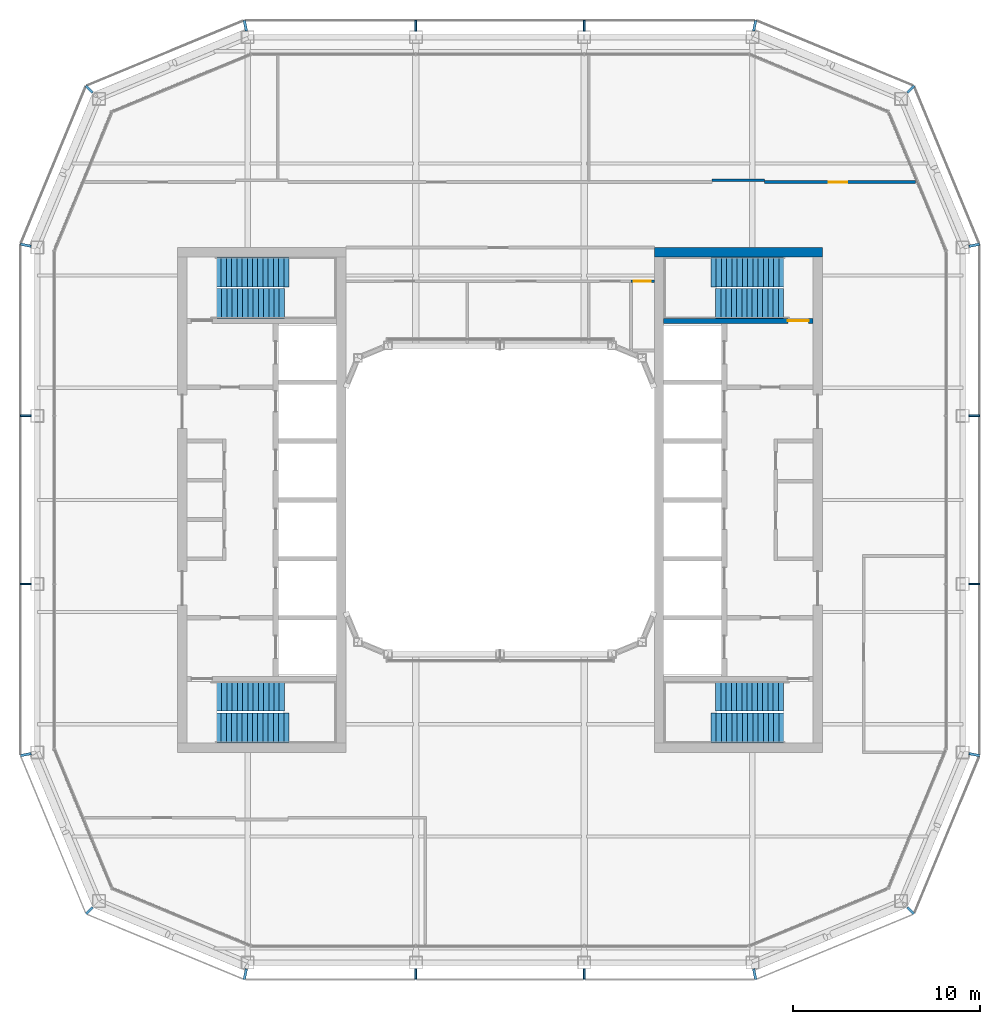
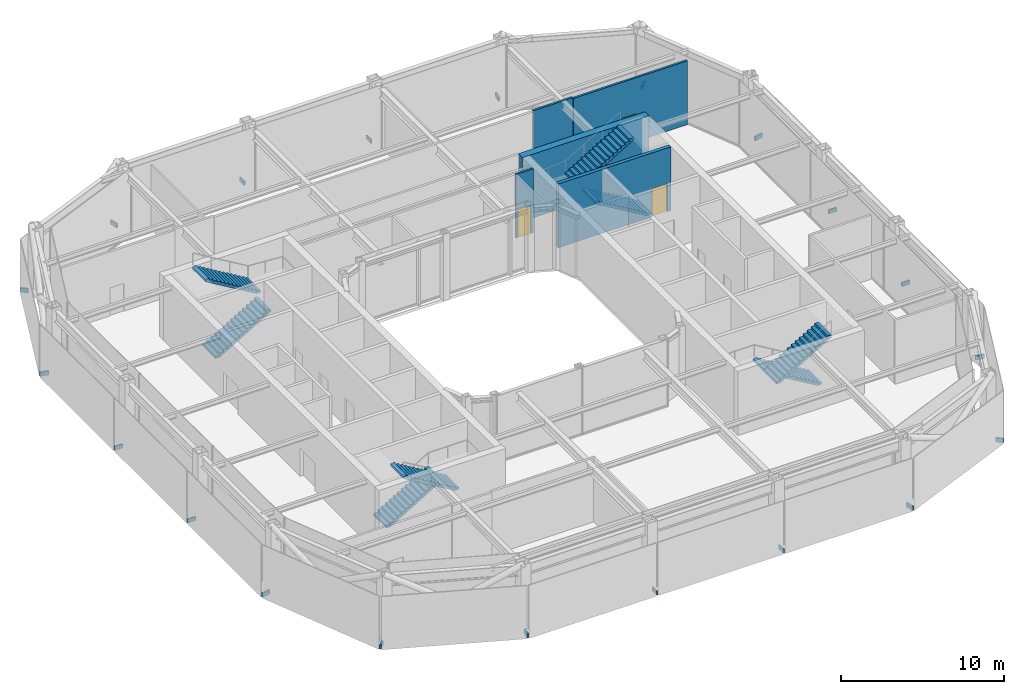
# One storey, part 13 of 17: 20 discrete accessories, 8 stair flights, 5 walls, 3 doors, 3 openings, 4 elements without a shape of their own.
"""IFC4 building model written with IfcOpenShell, lengths in metres."""

from ifc_helpers import new_model, si_unit, direction, frame, frame_2d, origin, origin_2d, place, context, subcontext, project, spatial, polyline, rectangle, outline, extrude, material, layer, layer_set, type_object, element, fill, aggregate, save


model = new_model("IFC4")

# Units and contexts
model_context = context("Model", 3, precision=1e-05, world=origin(), true_north=direction((0.0, 1.0)))
body_context = subcontext(model_context, "Body", "Model", "MODEL_VIEW")
ifc_project = project(units=[si_unit("LENGTHUNIT", "METRE"), si_unit("AREAUNIT", "SQUARE_METRE"), si_unit("VOLUMEUNIT", "CUBIC_METRE"), si_unit("PLANEANGLEUNIT", "RADIAN"), si_unit("MASSUNIT", "GRAM", prefix="KILO")], contexts=[model_context])

# Site, building, storey
site_placement = place(None, origin())
site = spatial("IfcSite", under=ifc_project, at=site_placement, CompositionType="ELEMENT")
building_placement = place(site_placement, origin())
building = spatial("IfcBuilding", under=site, at=building_placement, Name="Siwar Civic Tower", CompositionType="ELEMENT")
storey_placement = place(building_placement, frame((0.0, 0.0, 353.199951171875)))
storey = spatial("IfcBuildingStorey", under=building, at=storey_placement, Name="L76", CompositionType="ELEMENT", Elevation=353.199951171875)

# Wall, opening, door
ifc_material_1 = material(Name="Gypsum board on steel studs", Category="steel")
ifc_layer_1 = layer(ifc_material_1, 0.14990234375)
ifc_layer_set_1 = layer_set([ifc_layer_1], Name="Gypsum board on steel studs")
wall_type_1 = type_object("IfcWallType", Name="COMPARTMENT PARTITION 150 EI 60", PredefinedType="PARTITIONING", material=ifc_layer_set_1)
wall_1_placement = place(storey_placement, frame((7.0, 11.699951171875, 0.0), z_axis=(0.0, 0.0, 1.0), x_axis=(1.0, 0.0, 0.0)))
wall_1 = element("IfcWall", 1, at=wall_1_placement, inside=storey, type_object=wall_type_1, Name="L76/wall/P08", PredefinedType="PARTITIONING", context=body_context, shape_type="SweptSolid", body=[
    extrude(rectangle(XDim=1.25, YDim=0.14990234375, at=frame_2d((0.625, 0.0))), origin(), (0.0, 0.0, 1.0), 4.800048828125),
])
opening_1_placement = place(wall_1_placement, frame((0.14990234375, 0.0, 0.0)))
opening_1 = element("IfcOpeningElement", 2, at=opening_1_placement, cuts=wall_1, Name="Opening D4", PredefinedType="OPENING", context=body_context, shape_type="SweptSolid", body=[
    extrude(rectangle(XDim=0.89990234375, YDim=2.10009765625, at=frame_2d((0.449951171875, 1.050048828125))), frame((0.0, 0.0849609375, 0.0), z_axis=(0.0, -1.0, 0.0), x_axis=(1.0, 0.0, 0.0)), (0.0, 0.0, 1.0), 0.169921875),
])
ifc_material_2 = material(Name="Timber, painted", Category="wood")
door_type_1 = type_object("IfcDoorType", Name="DOOR 900 X 2100 FD60", OperationType="SINGLE_SWING_LEFT", PredefinedType="DOOR", material=ifc_material_2)
door_1_placement = place(opening_1_placement, origin())
door_1 = element("IfcDoor", 3, at=door_1_placement, inside=storey, type_object=door_type_1, Name="L76-D08", OperationType="SINGLE_SWING_RIGHT", OverallHeight=2.10009765625, OverallWidth=0.89990234375, PredefinedType="DOOR", context=body_context, shape_type="SweptSolid", body=[
    extrude(rectangle(XDim=0.89990234375, YDim=2.10009765625, at=frame_2d((0.449951171875, 1.050048828125))), frame((0.0, 0.02490234375, 0.0), z_axis=(0.0, -1.0, 0.0), x_axis=(1.0, 0.0, 0.0)), (0.0, 0.0, 1.0), 0.050048828125),
])
fill(opening_1, door_1)

ifc_material_3 = material(Name="Concrete C60/75", Category="concrete")
ifc_layer_2 = layer(ifc_material_3, 0.25)
ifc_layer_set_2 = layer_set([ifc_layer_2], Name="Concrete C60/75")
wall_type_2 = type_object("IfcWallType", Name="CORE-WALL-RC250", PredefinedType="SHEAR", material=ifc_layer_set_2)
wall_2_placement = place(storey_placement, frame((8.75, 9.574951171875, 0.0), z_axis=(0.0, 0.0, 1.0), x_axis=(1.0, 0.0, 0.0)))
wall_2 = element("IfcWall", 4, at=wall_2_placement, inside=storey, type_object=wall_type_2, Name="Core wall E", PredefinedType="SHEAR", context=body_context, shape_type="SweptSolid", body=[
    extrude(rectangle(XDim=8.0, YDim=0.25, at=frame_2d((4.0, 0.0))), origin(), (0.0, 0.0, 1.0), 4.800048828125),
])
opening_2_placement = place(wall_2_placement, frame((6.64990234375, 0.0, 0.0)))
opening_2 = element("IfcOpeningElement", 5, at=opening_2_placement, cuts=wall_2, Name="Opening L76-CE03", PredefinedType="OPENING", context=body_context, shape_type="SweptSolid", body=[
    extrude(rectangle(XDim=1.10009765625, YDim=2.10009765625, at=frame_2d((0.550048828125, 1.050048828125))), frame((0.0, 0.135009765625, 0.0), z_axis=(0.0, -1.0, 0.0), x_axis=(1.0, 0.0, 0.0)), (0.0, 0.0, 1.0), 0.27001953125),
])
ifc_material_4 = material(Name="Steel door leaf", Category="steel")
door_type_2 = type_object("IfcDoorType", Name="CORE-DOOR-FD60S", OperationType="SINGLE_SWING_LEFT", PredefinedType="DOOR", material=ifc_material_4)
door_2_placement = place(opening_2_placement, origin())
door_2 = element("IfcDoor", 6, at=door_2_placement, inside=storey, type_object=door_type_2, Name="Stair door L76-CE03", OperationType="SINGLE_SWING_LEFT", OverallHeight=2.10009765625, OverallWidth=1.10009765625, PredefinedType="DOOR", context=body_context, shape_type="SweptSolid", body=[
    extrude(rectangle(XDim=1.10009765625, YDim=2.10009765625, at=frame_2d((0.550048828125, 1.050048828125))), frame((0.0, 0.02490234375, 0.0), z_axis=(0.0, -1.0, 0.0), x_axis=(1.0, 0.0, 0.0)), (0.0, 0.0, 1.0), 0.050048828125),
])
fill(opening_2, door_2)

# Wall
ifc_material_5 = material(Name="Concrete C60/75", Category="concrete")
ifc_layer_3 = layer(ifc_material_5, 0.5)
ifc_layer_set_3 = layer_set([ifc_layer_3], Name="Concrete C60/75")
wall_type_3 = type_object("IfcWallType", Name="CORE-WALL-RC500", PredefinedType="SHEAR", material=ifc_layer_set_3)
wall_3_placement = place(storey_placement, frame((8.25, 13.25, 0.0), z_axis=(0.0, 0.0, 1.0), x_axis=(1.0, 0.0, 0.0)))
element("IfcWall", 7, at=wall_3_placement, inside=storey, type_object=wall_type_3, Name="Core wall E", PredefinedType="SHEAR", context=body_context, shape_type="SweptSolid", body=[
    extrude(rectangle(XDim=9.0, YDim=0.5, at=frame_2d((4.5, 0.0))), origin(), (0.0, 0.0, 1.0), 4.800048828125),
])

# Wall, opening, door
ifc_material_6 = material(Name="Gypsum board on steel studs", Category="steel")
ifc_layer_4 = layer(ifc_material_6, 0.14990234375)
ifc_layer_set_4 = layer_set([ifc_layer_4], Name="Gypsum board on steel studs")
wall_type_4 = type_object("IfcWallType", Name="CORRIDOR PARTITION 150 EI 30", PredefinedType="PARTITIONING", material=ifc_layer_set_4)
wall_4_placement = place(storey_placement, frame((14.14990234375, 17.0, 0.0), z_axis=(0.0, 0.0, 1.0), x_axis=(1.0, 0.0, 0.0)))
wall_4 = element("IfcWall", 8, at=wall_4_placement, inside=storey, type_object=wall_type_4, Name="L76/wall/P12", PredefinedType="PARTITIONING", context=body_context, shape_type="SweptSolid", body=[
    extrude(rectangle(XDim=8.0791015625, YDim=0.14990234375, at=frame_2d((4.03955078125, 0.0))), origin(), (0.0, 0.0, 1.0), 4.800048828125),
])
opening_3_placement = place(wall_4_placement, frame((3.428955078125, 0.0, 0.0)))
opening_3 = element("IfcOpeningElement", 9, at=opening_3_placement, cuts=wall_4, Name="Opening D1", PredefinedType="OPENING", context=body_context, shape_type="SweptSolid", body=[
    extrude(rectangle(XDim=1.0, YDim=2.10009765625, at=frame_2d((0.5, 1.050048828125))), frame((0.0, 0.0849609375, 0.0), z_axis=(0.0, -1.0, 0.0), x_axis=(1.0, 0.0, 0.0)), (0.0, 0.0, 1.0), 0.169921875),
])
ifc_material_7 = material(Name="Timber, painted", Category="wood")
door_type_3 = type_object("IfcDoorType", Name="DOOR 1000 X 2100 FD30", OperationType="SINGLE_SWING_LEFT", PredefinedType="DOOR", material=ifc_material_7)
door_3_placement = place(opening_3_placement, origin())
door_3 = element("IfcDoor", 10, at=door_3_placement, inside=storey, type_object=door_type_3, Name="L76-D03", OperationType="SINGLE_SWING_LEFT", OverallHeight=2.10009765625, OverallWidth=1.0, PredefinedType="DOOR", context=body_context, shape_type="SweptSolid", body=[
    extrude(rectangle(XDim=1.0, YDim=2.10009765625, at=frame_2d((0.5, 1.050048828125))), frame((0.0, 0.02490234375, 0.0), z_axis=(0.0, -1.0, 0.0), x_axis=(1.0, 0.0, 0.0)), (0.0, 0.0, 1.0), 0.050048828125),
])
fill(opening_3, door_3)

# Wall
wall_5_placement = place(storey_placement, frame((11.35009765625, 17.10009765625, 0.0), z_axis=(0.0, 0.0, 1.0), x_axis=(1.0, 0.0, 0.0)))
element("IfcWall", 11, at=wall_5_placement, inside=storey, type_object=wall_type_4, Name="L76/wall/P14", PredefinedType="PARTITIONING", context=body_context, shape_type="SweptSolid", body=[
    extrude(rectangle(XDim=2.7998046875, YDim=0.14990234375, at=frame_2d((1.39990234375, 0.0))), origin(), (0.0, 0.0, 1.0), 4.800048828125),
])

# Stair, stair flights
ifc_material_8 = material(Name="Concrete C40/50", Category="concrete")
stair_type = type_object("IfcStairType", Name="CORE-STAIR", PredefinedType="TWO_STRAIGHT_RUN_STAIR", material=ifc_material_8)
stair_1_placement = place(storey_placement, origin())
stair_1 = element("IfcStair", 12, at=stair_1_placement, inside=storey, type_object=stair_type, Name="Exit stair ST1", PredefinedType="TWO_STRAIGHT_RUN_STAIR")
ifc_material_9 = material(Name="Concrete C40/50", Category="concrete")
stair_flight_type = type_object("IfcStairFlightType", Name="CORE-STAIR-FLIGHT", PredefinedType="STRAIGHT", material=ifc_material_9)
stair_flight_1_placement = place(storey_placement, frame((-15.449951171875, 10.5, 0.0), z_axis=(0.0, 0.0, 1.0), x_axis=(1.0, 0.0, 0.0)))
stair_flight_1 = element("IfcStairFlight", 13, at=stair_flight_1_placement, type_object=stair_flight_type, Name="ST1 flight 1", NumberOfRisers=15, NumberOfTreads=14, PredefinedType="STRAIGHT", RiserHeight=0.166666667, TreadLength=0.28, context=body_context, shape_type="SweptSolid", body=[
    extrude(outline(polyline([(0.0, 0.0), (0.0, 0.166748046875), (0.280029296875, 0.166748046875), (0.280029296875, 0.333251953125), (0.56005859375, 0.333251953125), (0.56005859375, 0.5), (0.840087890625, 0.5), (0.840087890625, 0.666748046875), (1.1201171875, 0.666748046875), (1.1201171875, 0.833251953125), (1.39990234375, 0.833251953125), (1.39990234375, 1.0), (1.679931640625, 1.0), (1.679931640625, 1.166748046875), (1.9599609375, 1.166748046875), (1.9599609375, 1.333251953125), (2.239990234375, 1.333251953125), (2.239990234375, 1.5), (2.52001953125, 1.5), (2.52001953125, 1.666748046875), (2.800048828125, 1.666748046875), (2.800048828125, 1.833251953125), (3.080078125, 1.833251953125), (3.080078125, 2.0), (3.360107421875, 2.0), (3.360107421875, 2.166748046875), (3.639892578125, 2.166748046875), (3.639892578125, 2.333251953125), (3.919921875, 2.333251953125), (3.919921875, 2.5), (3.919921875, 2.158935546875), (0.29296875, 0.0), (0.0, 0.0)])), frame((0.0, 0.800048828125, 0.0), z_axis=(0.0, -1.0, 0.0), x_axis=(1.0, 0.0, 0.0)), (0.0, 0.0, 1.0), 1.60009765625),
])
stair_flight_2_placement = place(storey_placement, frame((-11.280029296875, 12.199951171875, 2.5), z_axis=(0.0, 0.0, 1.0), x_axis=(-1.0, 0.0, 0.0)))
stair_flight_2 = element("IfcStairFlight", 14, at=stair_flight_2_placement, type_object=stair_flight_type, Name="ST1 flight 2", NumberOfRisers=15, NumberOfTreads=14, PredefinedType="STRAIGHT", RiserHeight=0.166666667, TreadLength=0.28, context=body_context, shape_type="SweptSolid", body=[
    extrude(outline(polyline([(0.0, 0.0), (0.0, 0.166748046875), (0.280029296875, 0.166748046875), (0.280029296875, 0.333251953125), (0.56005859375, 0.333251953125), (0.56005859375, 0.5), (0.840087890625, 0.5), (0.840087890625, 0.666748046875), (1.1201171875, 0.666748046875), (1.1201171875, 0.833251953125), (1.39990234375, 0.833251953125), (1.39990234375, 1.0), (1.679931640625, 1.0), (1.679931640625, 1.166748046875), (1.9599609375, 1.166748046875), (1.9599609375, 1.333251953125), (2.239990234375, 1.333251953125), (2.239990234375, 1.5), (2.52001953125, 1.5), (2.52001953125, 1.666748046875), (2.800048828125, 1.666748046875), (2.800048828125, 1.833251953125), (3.080078125, 1.833251953125), (3.080078125, 2.0), (3.360107421875, 2.0), (3.360107421875, 2.166748046875), (3.639892578125, 2.166748046875), (3.639892578125, 2.333251953125), (3.919921875, 2.333251953125), (3.919921875, 2.5), (3.919921875, 2.158935546875), (0.29296875, 0.0), (0.0, 0.0)])), frame((0.0, 0.800048828125, 0.0), z_axis=(0.0, -1.0, 0.0), x_axis=(1.0, 0.0, 0.0)), (0.0, 0.0, 1.0), 1.60009765625),
])
aggregate(stair_1, [stair_flight_1, stair_flight_2])

stair_2_placement = place(storey_placement, origin())
stair_2 = element("IfcStair", 15, at=stair_2_placement, inside=storey, type_object=stair_type, Name="Exit stair ST2", PredefinedType="TWO_STRAIGHT_RUN_STAIR")
stair_flight_3_placement = place(storey_placement, frame((-15.449951171875, -10.5, 0.0), z_axis=(0.0, 0.0, 1.0), x_axis=(1.0, 0.0, 0.0)))
stair_flight_3 = element("IfcStairFlight", 16, at=stair_flight_3_placement, type_object=stair_flight_type, Name="ST2 flight 1", NumberOfRisers=15, NumberOfTreads=14, PredefinedType="STRAIGHT", RiserHeight=0.166666667, TreadLength=0.28, context=body_context, shape_type="SweptSolid", body=[
    extrude(outline(polyline([(0.0, 0.0), (0.0, 0.166748046875), (0.280029296875, 0.166748046875), (0.280029296875, 0.333251953125), (0.56005859375, 0.333251953125), (0.56005859375, 0.5), (0.840087890625, 0.5), (0.840087890625, 0.666748046875), (1.1201171875, 0.666748046875), (1.1201171875, 0.833251953125), (1.39990234375, 0.833251953125), (1.39990234375, 1.0), (1.679931640625, 1.0), (1.679931640625, 1.166748046875), (1.9599609375, 1.166748046875), (1.9599609375, 1.333251953125), (2.239990234375, 1.333251953125), (2.239990234375, 1.5), (2.52001953125, 1.5), (2.52001953125, 1.666748046875), (2.800048828125, 1.666748046875), (2.800048828125, 1.833251953125), (3.080078125, 1.833251953125), (3.080078125, 2.0), (3.360107421875, 2.0), (3.360107421875, 2.166748046875), (3.639892578125, 2.166748046875), (3.639892578125, 2.333251953125), (3.919921875, 2.333251953125), (3.919921875, 2.5), (3.919921875, 2.158935546875), (0.29296875, 0.0), (0.0, 0.0)])), frame((0.0, 0.800048828125, 0.0), z_axis=(0.0, -1.0, 0.0), x_axis=(1.0, 0.0, 0.0)), (0.0, 0.0, 1.0), 1.60009765625),
])
stair_flight_4_placement = place(storey_placement, frame((-11.280029296875, -12.199951171875, 2.5), z_axis=(0.0, 0.0, 1.0), x_axis=(-1.0, 0.0, 0.0)))
stair_flight_4 = element("IfcStairFlight", 17, at=stair_flight_4_placement, type_object=stair_flight_type, Name="ST2 flight 2", NumberOfRisers=15, NumberOfTreads=14, PredefinedType="STRAIGHT", RiserHeight=0.166666667, TreadLength=0.28, context=body_context, shape_type="SweptSolid", body=[
    extrude(outline(polyline([(0.0, 0.0), (0.0, 0.166748046875), (0.280029296875, 0.166748046875), (0.280029296875, 0.333251953125), (0.56005859375, 0.333251953125), (0.56005859375, 0.5), (0.840087890625, 0.5), (0.840087890625, 0.666748046875), (1.1201171875, 0.666748046875), (1.1201171875, 0.833251953125), (1.39990234375, 0.833251953125), (1.39990234375, 1.0), (1.679931640625, 1.0), (1.679931640625, 1.166748046875), (1.9599609375, 1.166748046875), (1.9599609375, 1.333251953125), (2.239990234375, 1.333251953125), (2.239990234375, 1.5), (2.52001953125, 1.5), (2.52001953125, 1.666748046875), (2.800048828125, 1.666748046875), (2.800048828125, 1.833251953125), (3.080078125, 1.833251953125), (3.080078125, 2.0), (3.360107421875, 2.0), (3.360107421875, 2.166748046875), (3.639892578125, 2.166748046875), (3.639892578125, 2.333251953125), (3.919921875, 2.333251953125), (3.919921875, 2.5), (3.919921875, 2.158935546875), (0.29296875, 0.0), (0.0, 0.0)])), frame((0.0, 0.800048828125, 0.0), z_axis=(0.0, -1.0, 0.0), x_axis=(1.0, 0.0, 0.0)), (0.0, 0.0, 1.0), 1.60009765625),
])
aggregate(stair_2, [stair_flight_3, stair_flight_4])

stair_3_placement = place(storey_placement, origin())
stair_3 = element("IfcStair", 18, at=stair_3_placement, inside=storey, type_object=stair_type, Name="Exit stair ST3", PredefinedType="TWO_STRAIGHT_RUN_STAIR")
stair_flight_5_placement = place(storey_placement, frame((15.449951171875, 10.5, 0.0), z_axis=(0.0, 0.0, 1.0), x_axis=(-1.0, 0.0, 0.0)))
stair_flight_5 = element("IfcStairFlight", 19, at=stair_flight_5_placement, type_object=stair_flight_type, Name="ST3 flight 1", NumberOfRisers=15, NumberOfTreads=14, PredefinedType="STRAIGHT", RiserHeight=0.166666667, TreadLength=0.28, context=body_context, shape_type="SweptSolid", body=[
    extrude(outline(polyline([(0.0, 0.0), (0.0, 0.166748046875), (0.280029296875, 0.166748046875), (0.280029296875, 0.333251953125), (0.56005859375, 0.333251953125), (0.56005859375, 0.5), (0.840087890625, 0.5), (0.840087890625, 0.666748046875), (1.1201171875, 0.666748046875), (1.1201171875, 0.833251953125), (1.39990234375, 0.833251953125), (1.39990234375, 1.0), (1.679931640625, 1.0), (1.679931640625, 1.166748046875), (1.9599609375, 1.166748046875), (1.9599609375, 1.333251953125), (2.239990234375, 1.333251953125), (2.239990234375, 1.5), (2.52001953125, 1.5), (2.52001953125, 1.666748046875), (2.800048828125, 1.666748046875), (2.800048828125, 1.833251953125), (3.080078125, 1.833251953125), (3.080078125, 2.0), (3.360107421875, 2.0), (3.360107421875, 2.166748046875), (3.639892578125, 2.166748046875), (3.639892578125, 2.333251953125), (3.919921875, 2.333251953125), (3.919921875, 2.5), (3.919921875, 2.158935546875), (0.29296875, 0.0), (0.0, 0.0)])), frame((0.0, 0.800048828125, 0.0), z_axis=(0.0, -1.0, 0.0), x_axis=(1.0, 0.0, 0.0)), (0.0, 0.0, 1.0), 1.60009765625),
])
stair_flight_6_placement = place(storey_placement, frame((11.280029296875, 12.199951171875, 2.5), z_axis=(0.0, 0.0, 1.0), x_axis=(1.0, 0.0, 0.0)))
stair_flight_6 = element("IfcStairFlight", 20, at=stair_flight_6_placement, type_object=stair_flight_type, Name="ST3 flight 2", NumberOfRisers=15, NumberOfTreads=14, PredefinedType="STRAIGHT", RiserHeight=0.166666667, TreadLength=0.28, context=body_context, shape_type="SweptSolid", body=[
    extrude(outline(polyline([(0.0, 0.0), (0.0, 0.166748046875), (0.280029296875, 0.166748046875), (0.280029296875, 0.333251953125), (0.56005859375, 0.333251953125), (0.56005859375, 0.5), (0.840087890625, 0.5), (0.840087890625, 0.666748046875), (1.1201171875, 0.666748046875), (1.1201171875, 0.833251953125), (1.39990234375, 0.833251953125), (1.39990234375, 1.0), (1.679931640625, 1.0), (1.679931640625, 1.166748046875), (1.9599609375, 1.166748046875), (1.9599609375, 1.333251953125), (2.239990234375, 1.333251953125), (2.239990234375, 1.5), (2.52001953125, 1.5), (2.52001953125, 1.666748046875), (2.800048828125, 1.666748046875), (2.800048828125, 1.833251953125), (3.080078125, 1.833251953125), (3.080078125, 2.0), (3.360107421875, 2.0), (3.360107421875, 2.166748046875), (3.639892578125, 2.166748046875), (3.639892578125, 2.333251953125), (3.919921875, 2.333251953125), (3.919921875, 2.5), (3.919921875, 2.158935546875), (0.29296875, 0.0), (0.0, 0.0)])), frame((0.0, 0.800048828125, 0.0), z_axis=(0.0, -1.0, 0.0), x_axis=(1.0, 0.0, 0.0)), (0.0, 0.0, 1.0), 1.60009765625),
])
aggregate(stair_3, [stair_flight_5, stair_flight_6])

stair_4_placement = place(storey_placement, origin())
stair_4 = element("IfcStair", 21, at=stair_4_placement, inside=storey, type_object=stair_type, Name="Exit stair ST4", PredefinedType="TWO_STRAIGHT_RUN_STAIR")
stair_flight_7_placement = place(storey_placement, frame((15.449951171875, -10.5, 0.0), z_axis=(0.0, 0.0, 1.0), x_axis=(-1.0, 0.0, 0.0)))
stair_flight_7 = element("IfcStairFlight", 22, at=stair_flight_7_placement, type_object=stair_flight_type, Name="ST4 flight 1", NumberOfRisers=15, NumberOfTreads=14, PredefinedType="STRAIGHT", RiserHeight=0.166666667, TreadLength=0.28, context=body_context, shape_type="SweptSolid", body=[
    extrude(outline(polyline([(0.0, 0.0), (0.0, 0.166748046875), (0.280029296875, 0.166748046875), (0.280029296875, 0.333251953125), (0.56005859375, 0.333251953125), (0.56005859375, 0.5), (0.840087890625, 0.5), (0.840087890625, 0.666748046875), (1.1201171875, 0.666748046875), (1.1201171875, 0.833251953125), (1.39990234375, 0.833251953125), (1.39990234375, 1.0), (1.679931640625, 1.0), (1.679931640625, 1.166748046875), (1.9599609375, 1.166748046875), (1.9599609375, 1.333251953125), (2.239990234375, 1.333251953125), (2.239990234375, 1.5), (2.52001953125, 1.5), (2.52001953125, 1.666748046875), (2.800048828125, 1.666748046875), (2.800048828125, 1.833251953125), (3.080078125, 1.833251953125), (3.080078125, 2.0), (3.360107421875, 2.0), (3.360107421875, 2.166748046875), (3.639892578125, 2.166748046875), (3.639892578125, 2.333251953125), (3.919921875, 2.333251953125), (3.919921875, 2.5), (3.919921875, 2.158935546875), (0.29296875, 0.0), (0.0, 0.0)])), frame((0.0, 0.800048828125, 0.0), z_axis=(0.0, -1.0, 0.0), x_axis=(1.0, 0.0, 0.0)), (0.0, 0.0, 1.0), 1.60009765625),
])
stair_flight_8_placement = place(storey_placement, frame((11.280029296875, -12.199951171875, 2.5), z_axis=(0.0, 0.0, 1.0), x_axis=(1.0, 0.0, 0.0)))
stair_flight_8 = element("IfcStairFlight", 23, at=stair_flight_8_placement, type_object=stair_flight_type, Name="ST4 flight 2", NumberOfRisers=15, NumberOfTreads=14, PredefinedType="STRAIGHT", RiserHeight=0.166666667, TreadLength=0.28, context=body_context, shape_type="SweptSolid", body=[
    extrude(outline(polyline([(0.0, 0.0), (0.0, 0.166748046875), (0.280029296875, 0.166748046875), (0.280029296875, 0.333251953125), (0.56005859375, 0.333251953125), (0.56005859375, 0.5), (0.840087890625, 0.5), (0.840087890625, 0.666748046875), (1.1201171875, 0.666748046875), (1.1201171875, 0.833251953125), (1.39990234375, 0.833251953125), (1.39990234375, 1.0), (1.679931640625, 1.0), (1.679931640625, 1.166748046875), (1.9599609375, 1.166748046875), (1.9599609375, 1.333251953125), (2.239990234375, 1.333251953125), (2.239990234375, 1.5), (2.52001953125, 1.5), (2.52001953125, 1.666748046875), (2.800048828125, 1.666748046875), (2.800048828125, 1.833251953125), (3.080078125, 1.833251953125), (3.080078125, 2.0), (3.360107421875, 2.0), (3.360107421875, 2.166748046875), (3.639892578125, 2.166748046875), (3.639892578125, 2.333251953125), (3.919921875, 2.333251953125), (3.919921875, 2.5), (3.919921875, 2.158935546875), (0.29296875, 0.0), (0.0, 0.0)])), frame((0.0, 0.800048828125, 0.0), z_axis=(0.0, -1.0, 0.0), x_axis=(1.0, 0.0, 0.0)), (0.0, 0.0, 1.0), 1.60009765625),
])
aggregate(stair_4, [stair_flight_7, stair_flight_8])

# Discrete accessories
ifc_material_10 = material(Name="Stainless steel 316", Category="steel")
discrete_accessory_type = type_object("IfcDiscreteAccessoryType", Name="ENV-BRACKET", PredefinedType="BRACKET", material=ifc_material_10)
for number, where, z_axis, x_axis, name in (
    (24, (25.364990234375, -4.5, -0.14990234375), (0.0, 0.0, 1.0), (1.0, 0.0, 0.0), "Bracket outer skin joint E-01"),
    (25, (25.364990234375, 4.5, -0.14990234375), (0.0, 0.0, 1.0), (1.0, 0.0, 0.0), "Bracket outer skin joint E-02"),
    (26, (4.5, 25.364990234375, -0.14990234375), (0.0, 0.0, 1.0), (0.0, 1.0, 0.0), "Bracket outer skin joint N-01"),
    (27, (-4.5, 25.364990234375, -0.14990234375), (0.0, 0.0, 1.0), (0.0, 1.0, 0.0), "Bracket outer skin joint N-02"),
    (28, (-4.5, -25.364990234375, -0.14990234375), (0.0, 0.0, 1.0), (0.0, -1.0, 0.0), "Bracket outer skin joint S-01"),
    (29, (4.5, -25.364990234375, -0.14990234375), (0.0, 0.0, 1.0), (0.0, -1.0, 0.0), "Bracket outer skin joint S-02"),
):
    element("IfcDiscreteAccessory", number, at=place(storey_placement, frame(where, z_axis=z_axis, x_axis=x_axis)), inside=storey, type_object=discrete_accessory_type, Name=name, PredefinedType="BRACKET", context=body_context, shape_type="SweptSolid", body=[
        extrude(rectangle(XDim=0.570068359375, YDim=0.10009765625, at=origin_2d()), origin(), (0.0, 0.0, 1.0), 0.300048828125),
    ])
for number, where, z_axis, x_axis, name in (
    (30, (-13.622314453125, -25.365234375, -0.14990234375), (0.0, 0.0, 1.0), (-0.195090322016, -0.980785280403, 0.0), "Bracket outer skin joint V00"),
    (31, (13.622314453125, -25.365234375, -0.14990234375), (0.0, 0.0, 1.0), (0.195090322016, -0.980785280403, 0.0), "Bracket outer skin joint V01"),
):
    element("IfcDiscreteAccessory", number, at=place(storey_placement, frame(where, z_axis=z_axis, x_axis=x_axis)), inside=storey, type_object=discrete_accessory_type, Name=name, PredefinedType="BRACKET", context=body_context, shape_type="SweptSolid", body=[
        extrude(rectangle(XDim=0.580810546875, YDim=0.13720703125, at=origin_2d()), origin(), (0.0, 0.0, 1.0), 0.300048828125),
    ])
discrete_accessory_1_placement = place(storey_placement, frame((21.96728515625, -21.96728515625, -0.14990234375), z_axis=(0.0, 0.0, 1.0), x_axis=(0.707106781187, -0.707106781187, 0.0)))
element("IfcDiscreteAccessory", 32, at=discrete_accessory_1_placement, inside=storey, type_object=discrete_accessory_type, Name="Bracket outer skin joint V02", PredefinedType="BRACKET", context=body_context, shape_type="SweptSolid", body=[
    extrude(rectangle(XDim=0.499267578125, YDim=0.12939453125, at=origin_2d()), origin(), (0.0, 0.0, 1.0), 0.300048828125),
])
for number, where, z_axis, x_axis, name in (
    (33, (25.365234375, -13.622314453125, -0.14990234375), (0.0, 0.0, 1.0), (0.980785280403, -0.195090322016, 0.0), "Bracket outer skin joint V03"),
    (34, (25.365234375, 13.622314453125, -0.14990234375), (0.0, 0.0, 1.0), (0.980785280403, 0.195090322016, 0.0), "Bracket outer skin joint V04"),
):
    element("IfcDiscreteAccessory", number, at=place(storey_placement, frame(where, z_axis=z_axis, x_axis=x_axis)), inside=storey, type_object=discrete_accessory_type, Name=name, PredefinedType="BRACKET", context=body_context, shape_type="SweptSolid", body=[
        extrude(rectangle(XDim=0.580810546875, YDim=0.13720703125, at=origin_2d()), origin(), (0.0, 0.0, 1.0), 0.300048828125),
    ])
discrete_accessory_2_placement = place(storey_placement, frame((21.96728515625, 21.96728515625, -0.14990234375), z_axis=(0.0, 0.0, 1.0), x_axis=(0.707106781187, 0.707106781187, 0.0)))
element("IfcDiscreteAccessory", 35, at=discrete_accessory_2_placement, inside=storey, type_object=discrete_accessory_type, Name="Bracket outer skin joint V05", PredefinedType="BRACKET", context=body_context, shape_type="SweptSolid", body=[
    extrude(rectangle(XDim=0.499267578125, YDim=0.12939453125, at=origin_2d()), origin(), (0.0, 0.0, 1.0), 0.300048828125),
])
for number, where, z_axis, x_axis, name in (
    (36, (13.622314453125, 25.365234375, -0.14990234375), (0.0, 0.0, 1.0), (0.195090322016, 0.980785280403, 0.0), "Bracket outer skin joint V06"),
    (37, (-13.622314453125, 25.365234375, -0.14990234375), (0.0, 0.0, 1.0), (-0.195090322016, 0.980785280403, 0.0), "Bracket outer skin joint V07"),
):
    element("IfcDiscreteAccessory", number, at=place(storey_placement, frame(where, z_axis=z_axis, x_axis=x_axis)), inside=storey, type_object=discrete_accessory_type, Name=name, PredefinedType="BRACKET", context=body_context, shape_type="SweptSolid", body=[
        extrude(rectangle(XDim=0.580810546875, YDim=0.13720703125, at=origin_2d()), origin(), (0.0, 0.0, 1.0), 0.300048828125),
    ])
discrete_accessory_3_placement = place(storey_placement, frame((-21.96728515625, 21.96728515625, -0.14990234375), z_axis=(0.0, 0.0, 1.0), x_axis=(-0.707106781187, 0.707106781187, 0.0)))
element("IfcDiscreteAccessory", 38, at=discrete_accessory_3_placement, inside=storey, type_object=discrete_accessory_type, Name="Bracket outer skin joint V08", PredefinedType="BRACKET", context=body_context, shape_type="SweptSolid", body=[
    extrude(rectangle(XDim=0.499267578125, YDim=0.12939453125, at=origin_2d()), origin(), (0.0, 0.0, 1.0), 0.300048828125),
])
for number, where, z_axis, x_axis, name in (
    (39, (-25.365234375, 13.622314453125, -0.14990234375), (0.0, 0.0, 1.0), (-0.980785280403, 0.195090322016, 0.0), "Bracket outer skin joint V09"),
    (40, (-25.365234375, -13.622314453125, -0.14990234375), (0.0, 0.0, 1.0), (-0.980785280403, -0.195090322016, 0.0), "Bracket outer skin joint V10"),
):
    element("IfcDiscreteAccessory", number, at=place(storey_placement, frame(where, z_axis=z_axis, x_axis=x_axis)), inside=storey, type_object=discrete_accessory_type, Name=name, PredefinedType="BRACKET", context=body_context, shape_type="SweptSolid", body=[
        extrude(rectangle(XDim=0.580810546875, YDim=0.13720703125, at=origin_2d()), origin(), (0.0, 0.0, 1.0), 0.300048828125),
    ])
discrete_accessory_4_placement = place(storey_placement, frame((-21.96728515625, -21.96728515625, -0.14990234375), z_axis=(0.0, 0.0, 1.0), x_axis=(-0.707106781187, -0.707106781187, 0.0)))
element("IfcDiscreteAccessory", 41, at=discrete_accessory_4_placement, inside=storey, type_object=discrete_accessory_type, Name="Bracket outer skin joint V11", PredefinedType="BRACKET", context=body_context, shape_type="SweptSolid", body=[
    extrude(rectangle(XDim=0.499267578125, YDim=0.12939453125, at=origin_2d()), origin(), (0.0, 0.0, 1.0), 0.300048828125),
])
for number, where, z_axis, x_axis, name in (
    (42, (-25.364990234375, 4.5, -0.14990234375), (0.0, 0.0, 1.0), (-1.0, 0.0, 0.0), "Bracket outer skin joint W-01"),
    (43, (-25.364990234375, -4.5, -0.14990234375), (0.0, 0.0, 1.0), (-1.0, 0.0, 0.0), "Bracket outer skin joint W-02"),
):
    element("IfcDiscreteAccessory", number, at=place(storey_placement, frame(where, z_axis=z_axis, x_axis=x_axis)), inside=storey, type_object=discrete_accessory_type, Name=name, PredefinedType="BRACKET", context=body_context, shape_type="SweptSolid", body=[
        extrude(rectangle(XDim=0.570068359375, YDim=0.10009765625, at=origin_2d()), origin(), (0.0, 0.0, 1.0), 0.300048828125),
    ])

save(model, "model.ifc")
